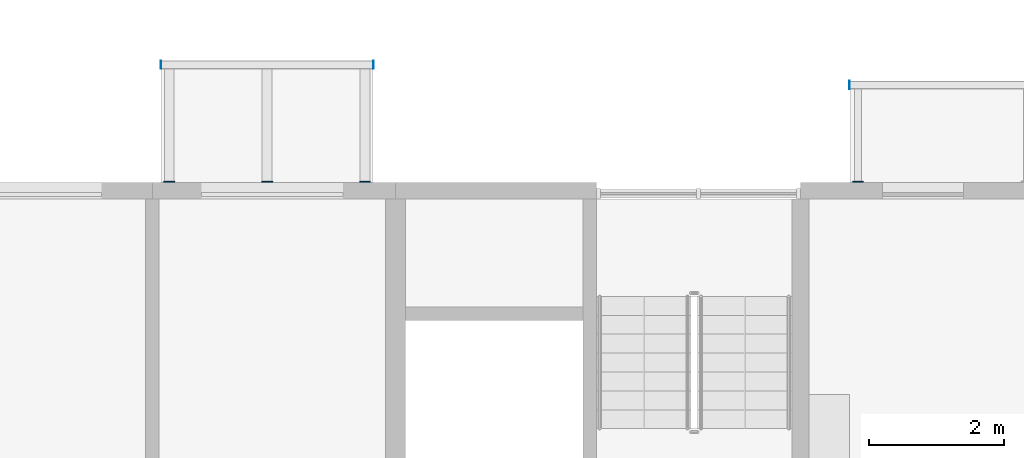
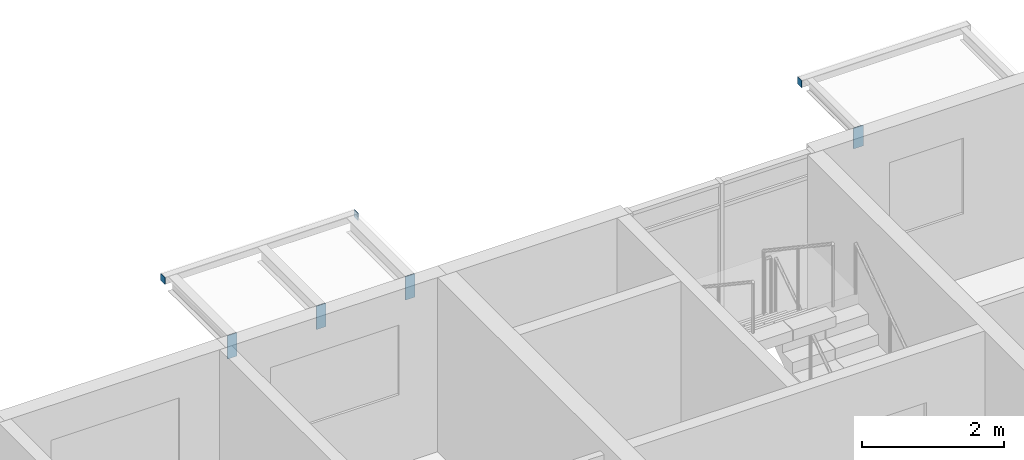
# One storey, part 69 of 98: 7 discrete accessories.
"""IFC4 building model written with IfcOpenShell, lengths in metres."""

from ifc_helpers import new_model, si_unit, direction, frame, origin, origin_2d, place, context, subcontext, project, spatial, rectangle, extrude, material, layer, layer_set, type_object, element, save


model = new_model("IFC4")

# Units and contexts
model_context = context("Model", 3, precision=1e-05, world=origin(), true_north=direction((0.0, 1.0)))
body_context = subcontext(model_context, "Body", "Model", "MODEL_VIEW")
ifc_project = project(units=[si_unit("LENGTHUNIT", "METRE"), si_unit("AREAUNIT", "SQUARE_METRE"), si_unit("VOLUMEUNIT", "CUBIC_METRE"), si_unit("PLANEANGLEUNIT", "RADIAN"), si_unit("MASSUNIT", "GRAM", prefix="KILO")], contexts=[model_context])

# Site, building, storey
site_placement = place(None, origin())
site = spatial("IfcSite", under=ifc_project, at=site_placement, CompositionType="ELEMENT")
building_placement = place(site_placement, origin())
building = spatial("IfcBuilding", under=site, at=building_placement, Name="Ridgestep Commons", CompositionType="ELEMENT")
storey_placement = place(building_placement, frame((0.0, 0.0, 12.0)))
storey = spatial("IfcBuildingStorey", under=building, at=storey_placement, Name="L04", CompositionType="ELEMENT", Elevation=12.0)

# Discrete accessories
ifc_material_1 = material(Name="Weathering steel S355J2W", Category="steel")
ifc_layer_1 = layer(ifc_material_1, 0.014892578125)
ifc_layer_set_1 = layer_set([ifc_layer_1], Name="Tray bracket plate 15")
discrete_accessory_type_1 = type_object("IfcDiscreteAccessoryType", Name="Tray bracket plate 15", PredefinedType="BRACKET", material=ifc_layer_set_1)
for number, where, z_axis, x_axis, name in (
    (1, (92.64990234375, 77.257568359375, 2.588623046875), (0.0, 0.0, 1.0), (1.0, 0.0, 0.0), "Tray bracket B5T1-05.1"),
    (2, (94.10009765625, 77.257568359375, 2.588623046875), (0.0, 0.0, 1.0), (1.0, 0.0, 0.0), "Tray bracket B5T1-05.2"),
    (3, (95.550048828125, 77.257568359375, 2.588623046875), (0.0, 0.0, 1.0), (1.0, 0.0, 0.0), "Tray bracket B5T1-05.3"),
):
    element("IfcDiscreteAccessory", number, at=place(storey_placement, frame(where, z_axis=z_axis, x_axis=x_axis)), inside=storey, type_object=discrete_accessory_type_1, Name=name, PredefinedType="BRACKET", context=body_context, shape_type="SweptSolid", body=[
        extrude(rectangle(XDim=0.159912109375, YDim=0.014892578125, at=origin_2d()), origin(), (0.0, 0.0, 1.0), 0.4013671875),
    ])
discrete_accessory_placement = place(storey_placement, frame((102.85009765625, 77.257568359375, 2.63671875), z_axis=(0.0, 0.0, 1.0), x_axis=(1.0, 0.0, 0.0)))
element("IfcDiscreteAccessory", 4, at=discrete_accessory_placement, inside=storey, type_object=discrete_accessory_type_1, Name="Tray bracket B6T3-05.1", PredefinedType="BRACKET", context=body_context, shape_type="SweptSolid", body=[
    extrude(rectangle(XDim=0.159912109375, YDim=0.014892578125, at=origin_2d()), origin(), (0.0, 0.0, 1.0), 0.353271484375),
])
ifc_material_2 = material(Name="Weathering steel S355J2W", Category="steel")
ifc_layer_2 = layer(ifc_material_2, 0.008056640625)
ifc_layer_set_2 = layer_set([ifc_layer_2], Name="Tray edge member end plate 120 x 120 x 8")
discrete_accessory_type_2 = type_object("IfcDiscreteAccessoryType", Name="Tray edge member end plate 120 x 120 x 8", PredefinedType="BRACKET", material=ifc_layer_set_2)
for number, where, z_axis, x_axis, name in (
    (5, (92.52587890625, 78.989990234375, 2.869873046875), (0.0, 0.0, 1.0), (1.0, 0.0, 0.0), "Tray edge member end plate B5T1-05 west"),
    (6, (95.674072265625, 78.989990234375, 2.869873046875), (0.0, 0.0, 1.0), (1.0, 0.0, 0.0), "Tray edge member end plate B5T1-05 east"),
    (7, (102.72607421875, 78.68994140625, 2.869873046875), (0.0, 0.0, 1.0), (1.0, 0.0, 0.0), "Tray edge member end plate B6T3-05 west"),
):
    element("IfcDiscreteAccessory", number, at=place(storey_placement, frame(where, z_axis=z_axis, x_axis=x_axis)), inside=storey, type_object=discrete_accessory_type_2, Name=name, PredefinedType="BRACKET", context=body_context, shape_type="SweptSolid", body=[
        extrude(rectangle(XDim=0.008056640625, YDim=0.1201171875, at=origin_2d()), origin(), (0.0, 0.0, 1.0), 0.1201171875),
    ])

save(model, "model.ifc")
